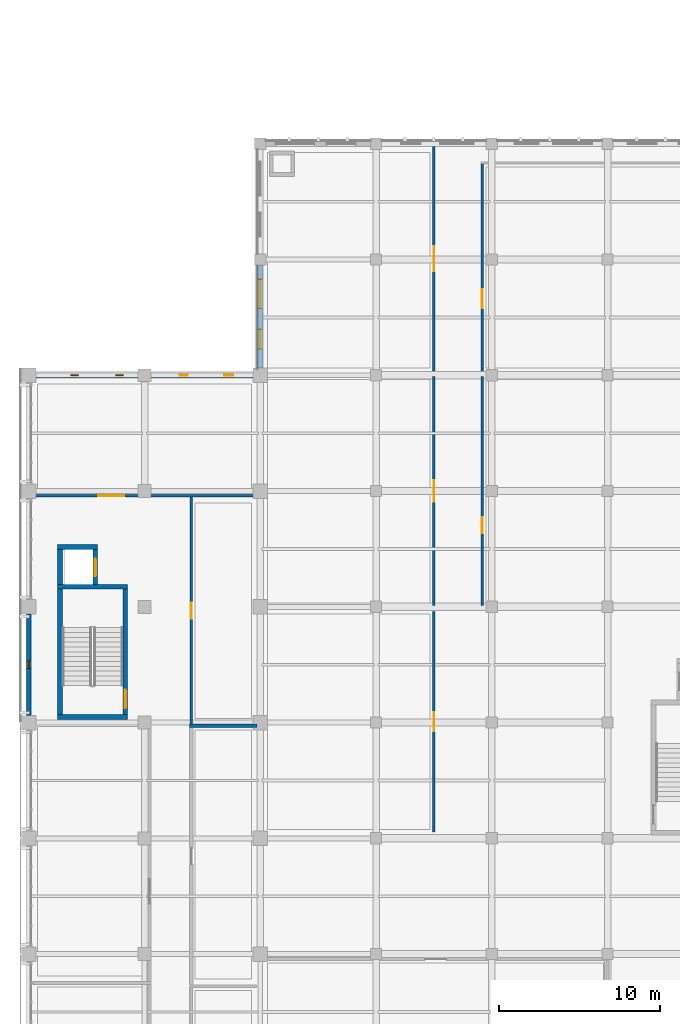
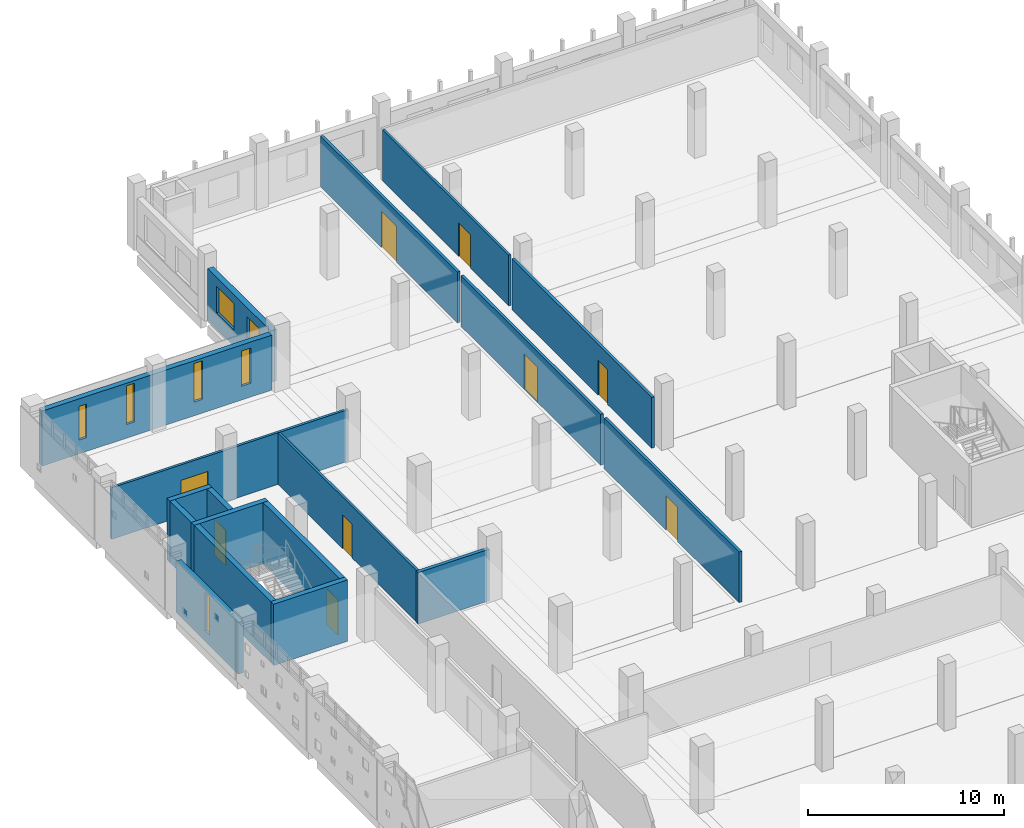
# One storey, part 42 of 62: 18 walls, 9 doors, 7 windows, 16 openings.
"""IFC4 building model written with IfcOpenShell, lengths in metres."""

from ifc_helpers import new_model, si_unit, direction, frame, frame_2d, origin, place, context, subcontext, project, spatial, rectangle, extrude, material, layer, layer_set, type_object, element, fill, save


model = new_model("IFC4")

# Units and contexts
model_context = context("Model", 3, precision=1e-05, world=origin(), true_north=direction((0.0, 1.0)))
body_context = subcontext(model_context, "Body", "Model", "MODEL_VIEW")
ifc_project = project(units=[si_unit("LENGTHUNIT", "METRE"), si_unit("AREAUNIT", "SQUARE_METRE"), si_unit("VOLUMEUNIT", "CUBIC_METRE"), si_unit("PLANEANGLEUNIT", "RADIAN"), si_unit("MASSUNIT", "GRAM", prefix="KILO")], contexts=[model_context])

# Site, building, storey
site_placement = place(None, origin())
site = spatial("IfcSite", under=ifc_project, at=site_placement, CompositionType="ELEMENT")
building_placement = place(site_placement, origin())
building = spatial("IfcBuilding", under=site, at=building_placement, Name="Valkovuoma Quantum and Materials Research Institute", CompositionType="ELEMENT")
storey_placement = place(building_placement, frame((0.0, 0.0, 8.9599609375)))
storey = spatial("IfcBuildingStorey", under=building, at=storey_placement, Name="L02", CompositionType="ELEMENT", Elevation=8.9599609375)

# Walls
ifc_material_1 = material(Name="Concrete C40/50", Category="concrete")
ifc_layer_1 = layer(ifc_material_1, 0.300048828125)
ifc_layer_set_1 = layer_set([ifc_layer_1], Name="Concrete C40/50")
wall_type_1 = type_object("IfcWallType", Name="Wall-W-COR300", PredefinedType="SHEAR", material=ifc_layer_set_1)
for number, where, z_axis, x_axis, name in (
    (1, (1.800048828125, 72.35009765625, 0.0), (0.0, 0.0, 1.0), (1.0, 0.0, 0.0), "L02 core wall 0143"),
    (2, (1.800048828125, 80.449951171875, 0.0), (0.0, 0.0, 1.0), (1.0, 0.0, 0.0), "L02 core wall 0144"),
):
    element("IfcWall", number, at=place(storey_placement, frame(where, z_axis=z_axis, x_axis=x_axis)), inside=storey, type_object=wall_type_1, Name=name, PredefinedType="SHEAR", context=body_context, shape_type="SweptSolid", body=[
        extrude(rectangle(XDim=4.349853515625, YDim=0.300048828125, at=frame_2d((2.1748046875, 0.0))), origin(), (0.0, 0.0, 1.0), 3.81005859375),
    ])
wall_1_placement = place(storey_placement, frame((1.949951171875, 72.5, 0.0), z_axis=(0.0, 0.0, 1.0), x_axis=(0.0, 1.0, 0.0)))
element("IfcWall", 3, at=wall_1_placement, inside=storey, type_object=wall_type_1, Name="L02 core wall 0145", PredefinedType="SHEAR", context=body_context, shape_type="SweptSolid", body=[
    extrude(rectangle(XDim=7.800048828125, YDim=0.300048828125, at=frame_2d((3.89990234375, 0.0))), origin(), (0.0, 0.0, 1.0), 3.81005859375),
])

# Wall, opening, door
wall_2_placement = place(storey_placement, frame((6.0, 72.5, 0.0), z_axis=(0.0, 0.0, 1.0), x_axis=(0.0, 1.0, 0.0)))
wall_2 = element("IfcWall", 4, at=wall_2_placement, inside=storey, type_object=wall_type_1, Name="L02 core wall 0146", PredefinedType="SHEAR", context=body_context, shape_type="SweptSolid", body=[
    extrude(rectangle(XDim=7.800048828125, YDim=0.300048828125, at=frame_2d((3.89990234375, 0.0))), origin(), (0.0, 0.0, 1.0), 3.81005859375),
])
opening_1_placement = place(wall_2_placement, frame((0.39990234375, 0.0, 0.0)))
opening_1 = element("IfcOpeningElement", 5, at=opening_1_placement, cuts=wall_2, Name="Opening SD-026", PredefinedType="OPENING", context=body_context, shape_type="SweptSolid", body=[
    extrude(rectangle(XDim=1.14990234375, YDim=2.199951171875, at=frame_2d((0.574951171875, 1.10009765625))), frame((0.0, 0.16015625, 0.0), z_axis=(0.0, -1.0, 0.0), x_axis=(1.0, 0.0, 0.0)), (0.0, 0.0, 1.0), 0.320068359375),
])
ifc_material_2 = material(Name="Powder-coated steel and acoustic timber door assembly", Category="steel")
door_type_1 = type_object("IfcDoorType", Name="Door-DR-ST60", OperationType="NOTDEFINED", PredefinedType="DOOR", material=ifc_material_2)
door_1_placement = place(opening_1_placement, origin())
door_1 = element("IfcDoor", 6, at=door_1_placement, inside=storey, type_object=door_type_1, Name="L02 ST-2 fire door", OperationType="SINGLE_SWING_LEFT", OverallHeight=2.199951171875, OverallWidth=1.14990234375, PredefinedType="DOOR", context=body_context, shape_type="SweptSolid", body=[
    extrude(rectangle(XDim=1.14990234375, YDim=2.199951171875, at=frame_2d((0.574951171875, 1.10009765625))), frame((0.0, 0.02490234375, 0.0), z_axis=(0.0, -1.0, 0.0), x_axis=(1.0, 0.0, 0.0)), (0.0, 0.0, 1.0), 0.050048828125),
])
fill(opening_1, door_1)

# Walls
wall_3_placement = place(storey_placement, frame((1.800048828125, 82.929931640625, 0.0), z_axis=(0.0, 0.0, 1.0), x_axis=(1.0, 0.0, 0.0)))
element("IfcWall", 7, at=wall_3_placement, inside=storey, type_object=wall_type_1, Name="L02 core wall 0147", PredefinedType="SHEAR", context=body_context, shape_type="SweptSolid", body=[
    extrude(rectangle(XDim=2.47998046875, YDim=0.300048828125, at=frame_2d((1.239990234375, 0.0))), origin(), (0.0, 0.0, 1.0), 3.81005859375),
])
wall_4_placement = place(storey_placement, frame((1.949951171875, 80.60009765625, 0.0), z_axis=(0.0, 0.0, 1.0), x_axis=(0.0, 1.0, 0.0)))
element("IfcWall", 8, at=wall_4_placement, inside=storey, type_object=wall_type_1, Name="L02 core wall 0148", PredefinedType="SHEAR", context=body_context, shape_type="SweptSolid", body=[
    extrude(rectangle(XDim=2.179931640625, YDim=0.300048828125, at=frame_2d((1.08984375, 0.0))), origin(), (0.0, 0.0, 1.0), 3.81005859375),
])

# Wall, opening, door
wall_5_placement = place(storey_placement, frame((4.1298828125, 80.60009765625, 0.0), z_axis=(0.0, 0.0, 1.0), x_axis=(0.0, 1.0, 0.0)))
wall_5 = element("IfcWall", 9, at=wall_5_placement, inside=storey, type_object=wall_type_1, Name="L02 core wall 0149", PredefinedType="SHEAR", context=body_context, shape_type="SweptSolid", body=[
    extrude(rectangle(XDim=2.179931640625, YDim=0.300048828125, at=frame_2d((1.08984375, 0.0))), origin(), (0.0, 0.0, 1.0), 3.81005859375),
])
opening_2_placement = place(wall_5_placement, frame((0.5, 0.0, 0.0)))
opening_2 = element("IfcOpeningElement", 10, at=opening_2_placement, cuts=wall_5, Name="Opening LD-026", PredefinedType="OPENING", context=body_context, shape_type="SweptSolid", body=[
    extrude(rectangle(XDim=1.10009765625, YDim=2.199951171875, at=frame_2d((0.550048828125, 1.10009765625))), frame((0.0, 0.16015625, 0.0), z_axis=(0.0, -1.0, 0.0), x_axis=(1.0, 0.0, 0.0)), (0.0, 0.0, 1.0), 0.320068359375),
])
ifc_material_3 = material(Name="Powder-coated steel and acoustic timber door assembly", Category="steel")
door_type_2 = type_object("IfcDoorType", Name="Door-DR-LD01", OperationType="NOTDEFINED", PredefinedType="DOOR", material=ifc_material_3)
door_2_placement = place(opening_2_placement, origin())
door_2 = element("IfcDoor", 11, at=door_2_placement, inside=storey, type_object=door_type_2, Name="L02 LIFT-P2 sliding landing door", OperationType="SLIDING_TO_LEFT", OverallHeight=2.199951171875, OverallWidth=1.10009765625, PredefinedType="DOOR", context=body_context, shape_type="SweptSolid", body=[
    extrude(rectangle(XDim=1.10009765625, YDim=2.199951171875, at=frame_2d((0.550048828125, 1.10009765625))), frame((0.0, 0.02490234375, 0.0), z_axis=(0.0, -1.0, 0.0), x_axis=(1.0, 0.0, 0.0)), (0.0, 0.0, 1.0), 0.050048828125),
])
fill(opening_2, door_2)

# Wall, opening, window
ifc_material_4 = material(Name="Precast concrete C40/50", Category="concrete")
ifc_layer_2 = layer(ifc_material_4, 0.300048828125)
ifc_layer_set_2 = layer_set([ifc_layer_2], Name="Precast concrete C40/50")
wall_type_2 = type_object("IfcWallType", Name="Wall-W-EXT300", PredefinedType="SOLIDWALL", material=ifc_layer_set_2)
wall_6_placement = place(storey_placement, frame((0.0, 72.43994140625, 0.0), z_axis=(0.0, 0.0, 1.0), x_axis=(0.0, 1.0, 0.0)))
wall_6 = element("IfcWall", 12, at=wall_6_placement, inside=storey, type_object=wall_type_2, Name="L02 exterior wall 0039", PredefinedType="SOLIDWALL", context=body_context, shape_type="SweptSolid", body=[
    extrude(rectangle(XDim=6.320068359375, YDim=0.300048828125, at=frame_2d((3.16015625, 0.0))), origin(), (0.0, 0.0, 1.0), 3.2099609375),
])
opening_3_placement = place(wall_6_placement, frame((2.93505859375, 0.0, 0.64990234375)))
opening_3 = element("IfcOpeningElement", 13, at=opening_3_placement, cuts=wall_6, Name="Opening WN-SL01", PredefinedType="OPENING", context=body_context, shape_type="SweptSolid", body=[
    extrude(rectangle(XDim=0.449951171875, YDim=2.39990234375, at=frame_2d((0.22509765625, 1.199951171875))), frame((0.0, 0.16015625, 0.0), z_axis=(0.0, -1.0, 0.0), x_axis=(1.0, 0.0, 0.0)), (0.0, 0.0, 1.0), 0.320068359375),
])
ifc_material_5 = material(Name="Triple low-E argon glazing in thermally broken aluminium frame", Category="aluminium")
window_type_1 = type_object("IfcWindowType", Name="Win-WN-SL01", PartitioningType="SINGLE_PANEL", PredefinedType="WINDOW", material=ifc_material_5)
window_1_placement = place(opening_3_placement, origin())
window_1 = element("IfcWindow", 14, at=window_1_placement, inside=storey, type_object=window_type_1, Name="L02 window 0016", OverallHeight=2.39990234375, OverallWidth=0.449951171875, PartitioningType="SINGLE_PANEL", PredefinedType="WINDOW", context=body_context, shape_type="SweptSolid", body=[
    extrude(rectangle(XDim=0.449951171875, YDim=2.39990234375, at=frame_2d((0.22509765625, 1.199951171875))), frame((0.0, 0.030029296875, 0.0), z_axis=(0.0, -1.0, 0.0), x_axis=(1.0, 0.0, 0.0)), (0.0, 0.0, 1.0), 0.06005859375),
])
fill(opening_3, window_1)

# Wall, openings, windows
ifc_material_6 = material(Name="Precast concrete C40/50", Category="concrete")
ifc_layer_3 = layer(ifc_material_6, 0.320068359375)
ifc_layer_set_3 = layer_set([ifc_layer_3], Name="Precast concrete C40/50")
wall_type_3 = type_object("IfcWallType", Name="Wall-W-EXT320", PredefinedType="SOLIDWALL", material=ifc_layer_set_3)
wall_7_placement = place(storey_placement, frame((0.43994140625, 93.60009765625, 0.0), z_axis=(0.0, 0.0, 1.0), x_axis=(1.0, 0.0, 0.0)))
wall_7 = element("IfcWall", 15, at=wall_7_placement, inside=storey, type_object=wall_type_3, Name="L02 exterior wall 0037", PredefinedType="SOLIDWALL", context=body_context, shape_type="SweptSolid", body=[
    extrude(rectangle(XDim=13.52001953125, YDim=0.320068359375, at=frame_2d((6.760009765625, 0.0))), origin(), (0.0, 0.0, 1.0), 3.419921875),
])
opening_4_placement = place(wall_7_placement, frame((2.175048828125, 0.0, 0.85009765625)))
opening_4 = element("IfcOpeningElement", 16, at=opening_4_placement, cuts=wall_7, Name="Opening WN-SL04", PredefinedType="OPENING", context=body_context, shape_type="SweptSolid", body=[
    extrude(rectangle(XDim=0.449951171875, YDim=2.10009765625, at=frame_2d((0.22509765625, 1.050048828125))), frame((0.0, 0.169921875, 0.0), z_axis=(0.0, -1.0, 0.0), x_axis=(1.0, 0.0, 0.0)), (0.0, 0.0, 1.0), 0.340087890625),
])
opening_5_placement = place(wall_7_placement, frame((4.97509765625, 0.0, 0.85009765625)))
opening_5 = element("IfcOpeningElement", 17, at=opening_5_placement, cuts=wall_7, Name="Opening WN-SL01", PredefinedType="OPENING", context=body_context, shape_type="SweptSolid", body=[
    extrude(rectangle(XDim=0.449951171875, YDim=2.39990234375, at=frame_2d((0.22509765625, 1.199951171875))), frame((0.0, 0.169921875, 0.0), z_axis=(0.0, -1.0, 0.0), x_axis=(1.0, 0.0, 0.0)), (0.0, 0.0, 1.0), 0.340087890625),
])
opening_6_placement = place(wall_7_placement, frame((8.949951171875, 0.0, 0.85009765625)))
opening_6 = element("IfcOpeningElement", 18, at=opening_6_placement, cuts=wall_7, Name="Opening WN-SL02", PredefinedType="OPENING", context=body_context, shape_type="SweptSolid", body=[
    extrude(rectangle(XDim=0.5, YDim=2.39990234375, at=frame_2d((0.25, 1.199951171875))), frame((0.0, 0.169921875, 0.0), z_axis=(0.0, -1.0, 0.0), x_axis=(1.0, 0.0, 0.0)), (0.0, 0.0, 1.0), 0.340087890625),
])
opening_7_placement = place(wall_7_placement, frame((11.72509765625, 0.0, 0.85009765625)))
opening_7 = element("IfcOpeningElement", 19, at=opening_7_placement, cuts=wall_7, Name="Opening WN-SL03", PredefinedType="OPENING", context=body_context, shape_type="SweptSolid", body=[
    extrude(rectangle(XDim=0.550048828125, YDim=2.199951171875, at=frame_2d((0.27490234375, 1.10009765625))), frame((0.0, 0.169921875, 0.0), z_axis=(0.0, -1.0, 0.0), x_axis=(1.0, 0.0, 0.0)), (0.0, 0.0, 1.0), 0.340087890625),
])
window_2_placement = place(opening_5_placement, origin())
window_2 = element("IfcWindow", 20, at=window_2_placement, inside=storey, type_object=window_type_1, Name="L02 window 0013", OverallHeight=2.39990234375, OverallWidth=0.449951171875, PartitioningType="SINGLE_PANEL", PredefinedType="WINDOW", context=body_context, shape_type="SweptSolid", body=[
    extrude(rectangle(XDim=0.449951171875, YDim=2.39990234375, at=frame_2d((0.22509765625, 1.199951171875))), frame((0.0, 0.030029296875, 0.0), z_axis=(0.0, -1.0, 0.0), x_axis=(1.0, 0.0, 0.0)), (0.0, 0.0, 1.0), 0.06005859375),
])
fill(opening_5, window_2)
ifc_material_7 = material(Name="Triple low-E argon glazing in thermally broken aluminium frame", Category="aluminium")
window_type_2 = type_object("IfcWindowType", Name="Win-WN-SL02", PartitioningType="SINGLE_PANEL", PredefinedType="WINDOW", material=ifc_material_7)
window_3_placement = place(opening_6_placement, origin())
window_3 = element("IfcWindow", 21, at=window_3_placement, inside=storey, type_object=window_type_2, Name="L02 window 0014", OverallHeight=2.39990234375, OverallWidth=0.5, PartitioningType="SINGLE_PANEL", PredefinedType="WINDOW", context=body_context, shape_type="SweptSolid", body=[
    extrude(rectangle(XDim=0.5, YDim=2.39990234375, at=frame_2d((0.25, 1.199951171875))), frame((0.0, 0.030029296875, 0.0), z_axis=(0.0, -1.0, 0.0), x_axis=(1.0, 0.0, 0.0)), (0.0, 0.0, 1.0), 0.06005859375),
])
fill(opening_6, window_3)
ifc_material_8 = material(Name="Triple low-E argon glazing in thermally broken aluminium frame", Category="aluminium")
window_type_3 = type_object("IfcWindowType", Name="Win-WN-SL03", PartitioningType="SINGLE_PANEL", PredefinedType="WINDOW", material=ifc_material_8)
window_4_placement = place(opening_7_placement, origin())
window_4 = element("IfcWindow", 22, at=window_4_placement, inside=storey, type_object=window_type_3, Name="L02 window 0015", OverallHeight=2.199951171875, OverallWidth=0.550048828125, PartitioningType="SINGLE_PANEL", PredefinedType="WINDOW", context=body_context, shape_type="SweptSolid", body=[
    extrude(rectangle(XDim=0.550048828125, YDim=2.199951171875, at=frame_2d((0.27490234375, 1.10009765625))), frame((0.0, 0.030029296875, 0.0), z_axis=(0.0, -1.0, 0.0), x_axis=(1.0, 0.0, 0.0)), (0.0, 0.0, 1.0), 0.06005859375),
])
fill(opening_7, window_4)
ifc_material_9 = material(Name="Triple low-E argon glazing in thermally broken aluminium frame", Category="aluminium")
window_type_4 = type_object("IfcWindowType", Name="Win-WN-SL04", PartitioningType="SINGLE_PANEL", PredefinedType="WINDOW", material=ifc_material_9)
window_5_placement = place(opening_4_placement, origin())
window_5 = element("IfcWindow", 23, at=window_5_placement, inside=storey, type_object=window_type_4, Name="L02 window 0012", OverallHeight=2.10009765625, OverallWidth=0.449951171875, PartitioningType="SINGLE_PANEL", PredefinedType="WINDOW", context=body_context, shape_type="SweptSolid", body=[
    extrude(rectangle(XDim=0.449951171875, YDim=2.10009765625, at=frame_2d((0.22509765625, 1.050048828125))), frame((0.0, 0.030029296875, 0.0), z_axis=(0.0, -1.0, 0.0), x_axis=(1.0, 0.0, 0.0)), (0.0, 0.0, 1.0), 0.06005859375),
])
fill(opening_4, window_5)

ifc_material_10 = material(Name="Precast concrete C40/50", Category="concrete")
ifc_layer_4 = layer(ifc_material_10, 0.340087890625)
ifc_layer_set_4 = layer_set([ifc_layer_4], Name="Precast concrete C40/50")
wall_type_4 = type_object("IfcWallType", Name="Wall-W-EXT340", PredefinedType="SOLIDWALL", material=ifc_layer_set_4)
wall_8_placement = place(storey_placement, frame((14.39990234375, 94.0400390625, 0.0), z_axis=(0.0, 0.0, 1.0), x_axis=(0.0, 1.0, 0.0)))
wall_8 = element("IfcWall", 24, at=wall_8_placement, inside=storey, type_object=wall_type_4, Name="L02 exterior wall 0152", PredefinedType="SOLIDWALL", context=body_context, shape_type="SweptSolid", body=[
    extrude(rectangle(XDim=6.419921875, YDim=0.340087890625, at=frame_2d((3.2099609375, 0.0))), origin(), (0.0, 0.0, 1.0), 3.2099609375),
])
opening_8_placement = place(wall_8_placement, frame((1.197509765625, 0.0, 1.0)))
opening_8 = element("IfcOpeningElement", 25, at=opening_8_placement, cuts=wall_8, Name="Opening WN-CL06", PredefinedType="OPENING", context=body_context, shape_type="SweptSolid", body=[
    extrude(rectangle(XDim=1.199951171875, YDim=1.64990234375, at=frame_2d((0.60009765625, 0.824951171875))), frame((0.0, 0.18017578125, 0.0), z_axis=(0.0, -1.0, 0.0), x_axis=(1.0, 0.0, 0.0)), (0.0, 0.0, 1.0), 0.360107421875),
])
opening_9_placement = place(wall_8_placement, frame((3.722412109375, 0.0, 1.0)))
opening_9 = element("IfcOpeningElement", 26, at=opening_9_placement, cuts=wall_8, Name="Opening WN-CL08", PredefinedType="OPENING", context=body_context, shape_type="SweptSolid", body=[
    extrude(rectangle(XDim=1.800048828125, YDim=1.64990234375, at=frame_2d((0.89990234375, 0.824951171875))), frame((0.0, 0.18017578125, 0.0), z_axis=(0.0, -1.0, 0.0), x_axis=(1.0, 0.0, 0.0)), (0.0, 0.0, 1.0), 0.360107421875),
])
ifc_material_11 = material(Name="Triple low-E argon glazing in thermally broken aluminium frame", Category="aluminium")
window_type_5 = type_object("IfcWindowType", Name="Win-WN-CL06", PartitioningType="SINGLE_PANEL", PredefinedType="WINDOW", material=ifc_material_11)
window_6_placement = place(opening_8_placement, origin())
window_6 = element("IfcWindow", 27, at=window_6_placement, inside=storey, type_object=window_type_5, Name="L02 window 0174", OverallHeight=1.64990234375, OverallWidth=1.199951171875, PartitioningType="SINGLE_PANEL", PredefinedType="WINDOW", context=body_context, shape_type="SweptSolid", body=[
    extrude(rectangle(XDim=1.199951171875, YDim=1.64990234375, at=frame_2d((0.60009765625, 0.824951171875))), frame((0.0, 0.030029296875, 0.0), z_axis=(0.0, -1.0, 0.0), x_axis=(1.0, 0.0, 0.0)), (0.0, 0.0, 1.0), 0.06005859375),
])
fill(opening_8, window_6)
ifc_material_12 = material(Name="Triple low-E argon glazing in thermally broken aluminium frame", Category="aluminium")
window_type_6 = type_object("IfcWindowType", Name="Win-WN-CL08", PartitioningType="SINGLE_PANEL", PredefinedType="WINDOW", material=ifc_material_12)
window_7_placement = place(opening_9_placement, origin())
window_7 = element("IfcWindow", 28, at=window_7_placement, inside=storey, type_object=window_type_6, Name="L02 window 0175", OverallHeight=1.64990234375, OverallWidth=1.800048828125, PartitioningType="SINGLE_PANEL", PredefinedType="WINDOW", context=body_context, shape_type="SweptSolid", body=[
    extrude(rectangle(XDim=1.800048828125, YDim=1.64990234375, at=frame_2d((0.89990234375, 0.824951171875))), frame((0.0, 0.030029296875, 0.0), z_axis=(0.0, -1.0, 0.0), x_axis=(1.0, 0.0, 0.0)), (0.0, 0.0, 1.0), 0.06005859375),
])
fill(opening_9, window_7)

# Wall, opening, door
ifc_material_13 = material(Name="Interior office stud partition", Category="masonry")
ifc_layer_5 = layer(ifc_material_13, 0.135009765625)
ifc_layer_set_5 = layer_set([ifc_layer_5], Name="Interior office stud partition")
wall_type_5 = type_object("IfcWallType", Name="Wall-W-PRT135", PredefinedType="PARTITIONING", material=ifc_layer_set_5)
wall_9_placement = place(storey_placement, frame((10.10009765625, 71.89990234375, 0.0), z_axis=(0.0, 0.0, 1.0), x_axis=(0.0, 1.0, 0.0)))
wall_9 = element("IfcWall", 29, at=wall_9_placement, inside=storey, type_object=wall_type_5, Name="L02 partition 0114", PredefinedType="PARTITIONING", context=body_context, shape_type="SweptSolid", body=[
    extrude(rectangle(XDim=14.125, YDim=0.135009765625, at=frame_2d((7.0625, 0.0))), origin(), (0.0, 0.0, 1.0), 3.2099609375),
])
opening_10_placement = place(wall_9_placement, frame((6.5625, 0.0, 0.0)))
opening_10 = element("IfcOpeningElement", 30, at=opening_10_placement, cuts=wall_9, Name="Opening ID-0082", PredefinedType="OPENING", context=body_context, shape_type="SweptSolid", body=[
    extrude(rectangle(XDim=1.0, YDim=2.10009765625, at=frame_2d((0.5, 1.050048828125))), frame((0.0, 0.07763671875, 0.0), z_axis=(0.0, -1.0, 0.0), x_axis=(1.0, 0.0, 0.0)), (0.0, 0.0, 1.0), 0.155029296875),
])
ifc_material_14 = material(Name="Powder-coated steel and acoustic timber door assembly", Category="steel")
door_type_3 = type_object("IfcDoorType", Name="Door-DR-OF04", OperationType="NOTDEFINED", PredefinedType="DOOR", material=ifc_material_14)
door_3_placement = place(opening_10_placement, origin())
door_3 = element("IfcDoor", 31, at=door_3_placement, inside=storey, type_object=door_type_3, Name="L02 room door 0082", OperationType="SINGLE_SWING_LEFT", OverallHeight=2.10009765625, OverallWidth=1.0, PredefinedType="DOOR", context=body_context, shape_type="SweptSolid", body=[
    extrude(rectangle(XDim=1.0, YDim=2.10009765625, at=frame_2d((0.5, 1.050048828125))), frame((0.0, 0.02490234375, 0.0), z_axis=(0.0, -1.0, 0.0), x_axis=(1.0, 0.0, 0.0)), (0.0, 0.0, 1.0), 0.050048828125),
])
fill(opening_10, door_3)

wall_10_placement = place(storey_placement, frame((28.199951171875, 93.867431640625, 0.0), z_axis=(0.0, 0.0, 1.0), x_axis=(0.0, 1.0, 0.0)))
wall_10 = element("IfcWall", 32, at=wall_10_placement, inside=storey, type_object=wall_type_5, Name="L02 partition 0130", PredefinedType="PARTITIONING", context=body_context, shape_type="SweptSolid", body=[
    extrude(rectangle(XDim=12.864990234375, YDim=0.135009765625, at=frame_2d((6.4326171875, 0.0))), origin(), (0.0, 0.0, 1.0), 3.16015625),
])
opening_11_placement = place(wall_10_placement, frame((3.91259765625, 0.0, 0.0)))
opening_11 = element("IfcOpeningElement", 33, at=opening_11_placement, cuts=wall_10, Name="Opening ID-0094", PredefinedType="OPENING", context=body_context, shape_type="SweptSolid", body=[
    extrude(rectangle(XDim=1.179931640625, YDim=2.080078125, at=frame_2d((0.58984375, 1.0400390625))), frame((0.0, 0.07763671875, 0.0), z_axis=(0.0, -1.0, 0.0), x_axis=(1.0, 0.0, 0.0)), (0.0, 0.0, 1.0), 0.155029296875),
])
ifc_material_15 = material(Name="Powder-coated steel and acoustic timber door assembly", Category="steel")
door_type_4 = type_object("IfcDoorType", Name="Door-DR-RM06", OperationType="NOTDEFINED", PredefinedType="DOOR", material=ifc_material_15)
door_4_placement = place(opening_11_placement, origin())
door_4 = element("IfcDoor", 34, at=door_4_placement, inside=storey, type_object=door_type_4, Name="L02 room door 0094", OperationType="SINGLE_SWING_LEFT", OverallHeight=2.080078125, OverallWidth=1.179931640625, PredefinedType="DOOR", context=body_context, shape_type="SweptSolid", body=[
    extrude(rectangle(XDim=1.179931640625, YDim=2.080078125, at=frame_2d((0.58984375, 1.0400390625))), frame((0.0, 0.02490234375, 0.0), z_axis=(0.0, -1.0, 0.0), x_axis=(1.0, 0.0, 0.0)), (0.0, 0.0, 1.0), 0.050048828125),
])
fill(opening_11, door_4)

ifc_material_16 = material(Name="Acoustic write-up studio partition", Category="masonry")
ifc_layer_6 = layer(ifc_material_16, 0.14990234375)
ifc_layer_set_6 = layer_set([ifc_layer_6], Name="Acoustic write-up studio partition")
wall_type_6 = type_object("IfcWallType", Name="Wall-W-PRT150", PredefinedType="PARTITIONING", material=ifc_layer_set_6)
wall_11_placement = place(storey_placement, frame((0.25, 86.10009765625, 0.0), z_axis=(0.0, 0.0, 1.0), x_axis=(1.0, 0.0, 0.0)))
wall_11 = element("IfcWall", 35, at=wall_11_placement, inside=storey, type_object=wall_type_6, Name="L02 partition 0107", PredefinedType="PARTITIONING", context=body_context, shape_type="SweptSolid", body=[
    extrude(rectangle(XDim=13.925048828125, YDim=0.14990234375, at=frame_2d((6.96240234375, 0.0))), origin(), (0.0, 0.0, 1.0), 3.2099609375),
])
opening_12_placement = place(wall_11_placement, frame((4.07373046875, 0.0, 0.0)))
opening_12 = element("IfcOpeningElement", 36, at=opening_12_placement, cuts=wall_11, Name="Opening ID-0078", PredefinedType="OPENING", context=body_context, shape_type="SweptSolid", body=[
    extrude(rectangle(XDim=1.60009765625, YDim=2.25, at=frame_2d((0.800048828125, 1.125))), frame((0.0, 0.0849609375, 0.0), z_axis=(0.0, -1.0, 0.0), x_axis=(1.0, 0.0, 0.0)), (0.0, 0.0, 1.0), 0.169921875),
])
ifc_material_17 = material(Name="Powder-coated steel and acoustic timber door assembly", Category="steel")
door_type_5 = type_object("IfcDoorType", Name="Door-DR-LB06", OperationType="NOTDEFINED", PredefinedType="DOOR", material=ifc_material_17)
door_5_placement = place(opening_12_placement, origin())
door_5 = element("IfcDoor", 37, at=door_5_placement, inside=storey, type_object=door_type_5, Name="L02 room door 0078", OperationType="DOUBLE_DOOR_SINGLE_SWING", OverallHeight=2.25, OverallWidth=1.60009765625, PredefinedType="DOOR", context=body_context, shape_type="SweptSolid", body=[
    extrude(rectangle(XDim=1.60009765625, YDim=2.25, at=frame_2d((0.800048828125, 1.125))), frame((0.0, 0.02490234375, 0.0), z_axis=(0.0, -1.0, 0.0), x_axis=(1.0, 0.0, 0.0)), (0.0, 0.0, 1.0), 0.050048828125),
])
fill(opening_12, door_5)

ifc_material_18 = material(Name="Cleanroom insulated metal-faced partition", Category="masonry")
ifc_layer_7 = layer(ifc_material_18, 0.159912109375)
ifc_layer_set_7 = layer_set([ifc_layer_7], Name="Cleanroom insulated metal-faced partition")
wall_type_7 = type_object("IfcWallType", Name="Wall-W-PRT160", PredefinedType="PARTITIONING", material=ifc_layer_set_7)
wall_12_placement = place(storey_placement, frame((25.199951171875, 65.179931640625, 0.0), z_axis=(0.0, 0.0, 1.0), x_axis=(0.0, 1.0, 0.0)))
wall_12 = element("IfcWall", 38, at=wall_12_placement, inside=storey, type_object=wall_type_7, Name="L02 partition 0125", PredefinedType="PARTITIONING", context=body_context, shape_type="SweptSolid", body=[
    extrude(rectangle(XDim=13.739990234375, YDim=0.159912109375, at=frame_2d((6.8701171875, 0.0))), origin(), (0.0, 0.0, 1.0), 3.16015625),
])
opening_13_placement = place(wall_12_placement, frame((6.27001953125, 0.0, 0.0)))
opening_13 = element("IfcOpeningElement", 39, at=opening_13_placement, cuts=wall_12, Name="Opening ID-0090", PredefinedType="OPENING", context=body_context, shape_type="SweptSolid", body=[
    extrude(rectangle(XDim=1.199951171875, YDim=2.14990234375, at=frame_2d((0.60009765625, 1.074951171875))), frame((0.0, 0.08984375, 0.0), z_axis=(0.0, -1.0, 0.0), x_axis=(1.0, 0.0, 0.0)), (0.0, 0.0, 1.0), 0.179931640625),
])
ifc_material_19 = material(Name="Powder-coated steel and acoustic timber door assembly", Category="steel")
door_type_6 = type_object("IfcDoorType", Name="Door-DR-CL02", OperationType="NOTDEFINED", PredefinedType="DOOR", material=ifc_material_19)
door_6_placement = place(opening_13_placement, origin())
door_6 = element("IfcDoor", 40, at=door_6_placement, inside=storey, type_object=door_type_6, Name="L02 room door 0090", OperationType="SINGLE_SWING_LEFT", OverallHeight=2.14990234375, OverallWidth=1.199951171875, PredefinedType="DOOR", context=body_context, shape_type="SweptSolid", body=[
    extrude(rectangle(XDim=1.199951171875, YDim=2.14990234375, at=frame_2d((0.60009765625, 1.074951171875))), frame((0.0, 0.02490234375, 0.0), z_axis=(0.0, -1.0, 0.0), x_axis=(1.0, 0.0, 0.0)), (0.0, 0.0, 1.0), 0.050048828125),
])
fill(opening_13, door_6)

wall_13_placement = place(storey_placement, frame((25.199951171875, 79.280029296875, 0.0), z_axis=(0.0, 0.0, 1.0), x_axis=(0.0, 1.0, 0.0)))
wall_13 = element("IfcWall", 41, at=wall_13_placement, inside=storey, type_object=wall_type_7, Name="L02 partition 0126", PredefinedType="PARTITIONING", context=body_context, shape_type="SweptSolid", body=[
    extrude(rectangle(XDim=14.239990234375, YDim=0.159912109375, at=frame_2d((7.1201171875, 0.0))), origin(), (0.0, 0.0, 1.0), 3.16015625),
])
opening_14_placement = place(wall_13_placement, frame((6.445068359375, 0.0, 0.0)))
opening_14 = element("IfcOpeningElement", 42, at=opening_14_placement, cuts=wall_13, Name="Opening ID-0091", PredefinedType="OPENING", context=body_context, shape_type="SweptSolid", body=[
    extrude(rectangle(XDim=1.35009765625, YDim=2.199951171875, at=frame_2d((0.675048828125, 1.10009765625))), frame((0.0, 0.08984375, 0.0), z_axis=(0.0, -1.0, 0.0), x_axis=(1.0, 0.0, 0.0)), (0.0, 0.0, 1.0), 0.179931640625),
])
ifc_material_20 = material(Name="Powder-coated steel and acoustic timber door assembly", Category="steel")
door_type_7 = type_object("IfcDoorType", Name="Door-DR-CL03", OperationType="NOTDEFINED", PredefinedType="DOOR", material=ifc_material_20)
door_7_placement = place(opening_14_placement, origin())
door_7 = element("IfcDoor", 43, at=door_7_placement, inside=storey, type_object=door_type_7, Name="L02 room door 0091", OperationType="SINGLE_SWING_RIGHT", OverallHeight=2.199951171875, OverallWidth=1.35009765625, PredefinedType="DOOR", context=body_context, shape_type="SweptSolid", body=[
    extrude(rectangle(XDim=1.35009765625, YDim=2.199951171875, at=frame_2d((0.675048828125, 1.10009765625))), frame((0.0, 0.02490234375, 0.0), z_axis=(0.0, -1.0, 0.0), x_axis=(1.0, 0.0, 0.0)), (0.0, 0.0, 1.0), 0.050048828125),
])
fill(opening_14, door_7)

wall_14_placement = place(storey_placement, frame((25.199951171875, 93.8798828125, 0.0), z_axis=(0.0, 0.0, 1.0), x_axis=(0.0, 1.0, 0.0)))
wall_14 = element("IfcWall", 44, at=wall_14_placement, inside=storey, type_object=wall_type_7, Name="L02 partition 0127", PredefinedType="PARTITIONING", context=body_context, shape_type="SweptSolid", body=[
    extrude(rectangle(XDim=13.9501953125, YDim=0.159912109375, at=frame_2d((6.97509765625, 0.0))), origin(), (0.0, 0.0, 1.0), 3.16015625),
])
opening_15_placement = place(wall_14_placement, frame((6.199951171875, 0.0, 0.0)))
opening_15 = element("IfcOpeningElement", 45, at=opening_15_placement, cuts=wall_14, Name="Opening ID-0092", PredefinedType="OPENING", context=body_context, shape_type="SweptSolid", body=[
    extrude(rectangle(XDim=1.550048828125, YDim=2.25, at=frame_2d((0.77490234375, 1.125))), frame((0.0, 0.08984375, 0.0), z_axis=(0.0, -1.0, 0.0), x_axis=(1.0, 0.0, 0.0)), (0.0, 0.0, 1.0), 0.179931640625),
])
ifc_material_21 = material(Name="Powder-coated steel and acoustic timber door assembly", Category="steel")
door_type_8 = type_object("IfcDoorType", Name="Door-DR-CL04", OperationType="NOTDEFINED", PredefinedType="DOOR", material=ifc_material_21)
door_8_placement = place(opening_15_placement, origin())
door_8 = element("IfcDoor", 46, at=door_8_placement, inside=storey, type_object=door_type_8, Name="L02 room door 0092", OperationType="DOUBLE_DOOR_SINGLE_SWING", OverallHeight=2.25, OverallWidth=1.550048828125, PredefinedType="DOOR", context=body_context, shape_type="SweptSolid", body=[
    extrude(rectangle(XDim=1.550048828125, YDim=2.25, at=frame_2d((0.77490234375, 1.125))), frame((0.0, 0.02490234375, 0.0), z_axis=(0.0, -1.0, 0.0), x_axis=(1.0, 0.0, 0.0)), (0.0, 0.0, 1.0), 0.050048828125),
])
fill(opening_15, door_8)

wall_15_placement = place(storey_placement, frame((28.199951171875, 79.280029296875, 0.0), z_axis=(0.0, 0.0, 1.0), x_axis=(0.0, 1.0, 0.0)))
wall_15 = element("IfcWall", 47, at=wall_15_placement, inside=storey, type_object=wall_type_7, Name="L02 partition 0128", PredefinedType="PARTITIONING", context=body_context, shape_type="SweptSolid", body=[
    extrude(rectangle(XDim=14.239990234375, YDim=0.159912109375, at=frame_2d((7.1201171875, 0.0))), origin(), (0.0, 0.0, 1.0), 3.16015625),
])
opening_16_placement = place(wall_15_placement, frame((4.48388671875, 0.0, 0.0)))
opening_16 = element("IfcOpeningElement", 48, at=opening_16_placement, cuts=wall_15, Name="Opening ID-0093", PredefinedType="OPENING", context=body_context, shape_type="SweptSolid", body=[
    extrude(rectangle(XDim=1.0, YDim=2.14990234375, at=frame_2d((0.5, 1.074951171875))), frame((0.0, 0.08984375, 0.0), z_axis=(0.0, -1.0, 0.0), x_axis=(1.0, 0.0, 0.0)), (0.0, 0.0, 1.0), 0.179931640625),
])
ifc_material_22 = material(Name="Powder-coated steel and acoustic timber door assembly", Category="steel")
door_type_9 = type_object("IfcDoorType", Name="Door-DR-CL01", OperationType="NOTDEFINED", PredefinedType="DOOR", material=ifc_material_22)
door_9_placement = place(opening_16_placement, origin())
door_9 = element("IfcDoor", 49, at=door_9_placement, inside=storey, type_object=door_type_9, Name="L02 room door 0093", OperationType="SINGLE_SWING_RIGHT", OverallHeight=2.14990234375, OverallWidth=1.0, PredefinedType="DOOR", context=body_context, shape_type="SweptSolid", body=[
    extrude(rectangle(XDim=1.0, YDim=2.14990234375, at=frame_2d((0.5, 1.074951171875))), frame((0.0, 0.02490234375, 0.0), z_axis=(0.0, -1.0, 0.0), x_axis=(1.0, 0.0, 0.0)), (0.0, 0.0, 1.0), 0.050048828125),
])
fill(opening_16, door_9)

# Wall
ifc_material_23 = material(Name="Acoustic double-stud gypsum and mineral wool partition", Category="masonry")
ifc_layer_8 = layer(ifc_material_23, 0.199951171875)
ifc_layer_set_8 = layer_set([ifc_layer_8], Name="Acoustic double-stud gypsum and mineral wool partition")
wall_type_8 = type_object("IfcWallType", Name="Wall-W-PRT200", PredefinedType="PARTITIONING", material=ifc_layer_set_8)
wall_16_placement = place(storey_placement, frame((10.0, 71.800048828125, 0.0), z_axis=(0.0, 0.0, 1.0), x_axis=(1.0, 0.0, 0.0)))
element("IfcWall", 50, at=wall_16_placement, inside=storey, type_object=wall_type_8, Name="L02 partition 0112", PredefinedType="PARTITIONING", context=body_context, shape_type="SweptSolid", body=[
    extrude(rectangle(XDim=4.199951171875, YDim=0.199951171875, at=frame_2d((2.10009765625, 0.0))), origin(), (0.0, 0.0, 1.0), 3.2099609375),
])

save(model, "model.ifc")
